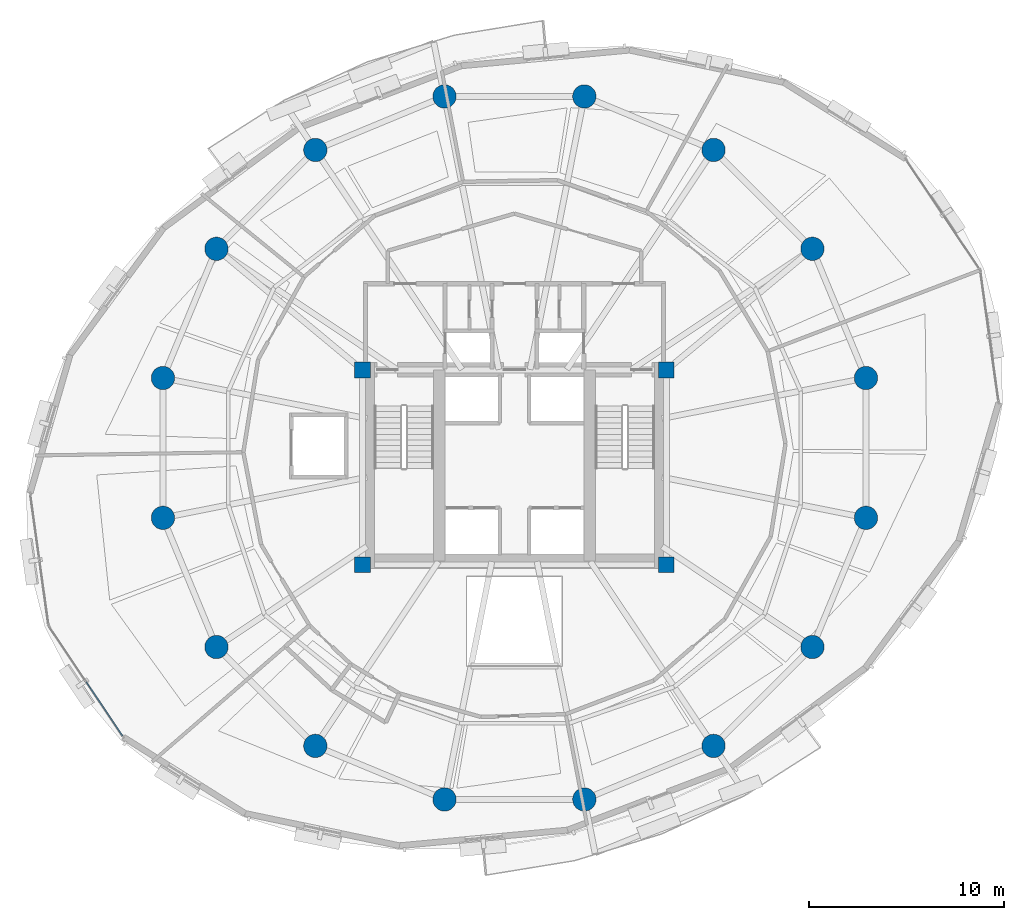
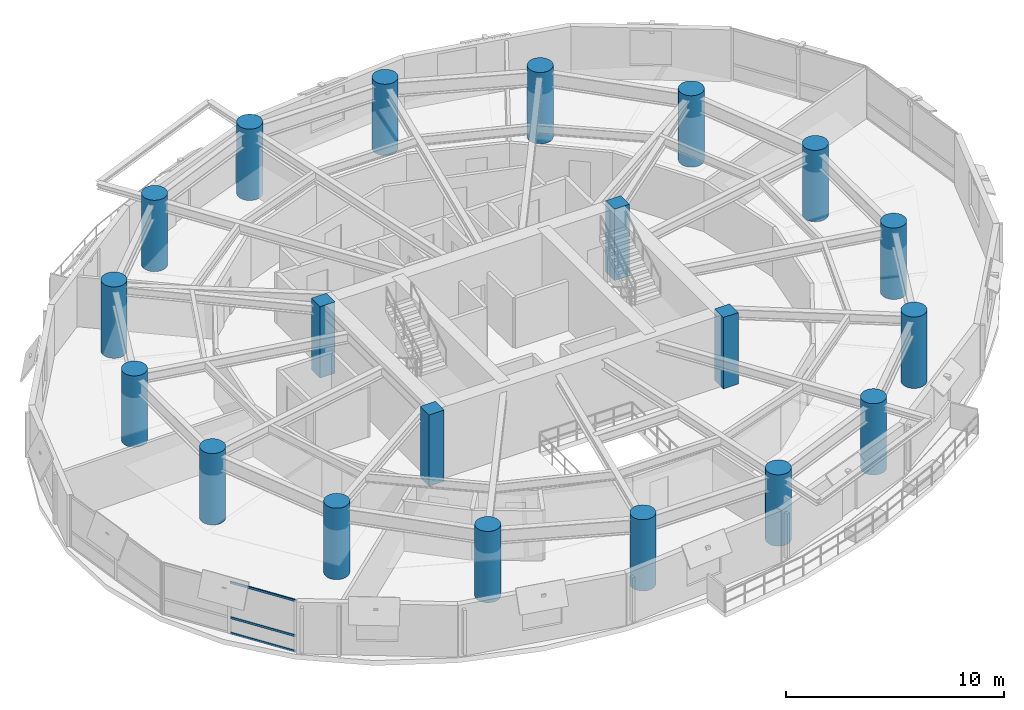
# One storey, part 1 of 15: 20 columns, 3 members, 1 element without a shape of its own.
"""IFC4 building model written with IfcOpenShell, lengths in metres."""

from ifc_helpers import new_model, si_unit, direction, frame, origin, origin_2d, place, context, subcontext, project, spatial, rectangle, hollow_rectangle, circle, extrude, material, layer, layer_set, material_profile, profile_set, type_object, element, aggregate, save


model = new_model("IFC4")

# Units and contexts
model_context = context("Model", 3, precision=1e-05, world=origin(), true_north=direction((0.0, 1.0)))
body_context = subcontext(model_context, "Body", "Model", "MODEL_VIEW")
ifc_project = project(units=[si_unit("LENGTHUNIT", "METRE"), si_unit("AREAUNIT", "SQUARE_METRE"), si_unit("VOLUMEUNIT", "CUBIC_METRE"), si_unit("PLANEANGLEUNIT", "RADIAN"), si_unit("MASSUNIT", "GRAM", prefix="KILO"), si_unit("THERMODYNAMICTEMPERATUREUNIT", "KELVIN"), si_unit("POWERUNIT", "WATT")], contexts=[model_context])

# Site, building, storey
site_placement = place(None, origin())
site = spatial("IfcSite", under=ifc_project, at=site_placement, CompositionType="ELEMENT")
building_placement = place(site_placement, origin())
building = spatial("IfcBuilding", under=site, at=building_placement, Name="Ocrelia Relay Tower", CompositionType="ELEMENT")
storey_placement = place(building_placement, frame((0.0, 0.0, 121.800048828125)))
storey = spatial("IfcBuildingStorey", under=building, at=storey_placement, Name="L28", CompositionType="ELEMENT", Elevation=121.800048828125)

# Columns
ifc_material_1 = material(Name="Concrete C60/75", Category="concrete")
ifc_material_profile_1 = material_profile(ifc_material_1, circle(Radius=0.60009765625, at=origin_2d()), Name="RC-CIR-1200")
ifc_profile_set_1 = profile_set([ifc_material_profile_1], Name="Concrete C60/75")
column_type_1 = type_object("IfcColumnType", Name="COL-CT-1200", PredefinedType="COLUMN", material=ifc_profile_set_1)
for number, where, z_axis, x_axis, name in (
    (1, (52.04638671875, 29.589599609375, 0.0), (0.0, 0.0, 1.0), (1.0, 0.0, 0.0), "L28 Perimeter Ring Column C01"),
    (2, (49.299072265625, 36.222412109375, 0.0), (0.0, 0.0, 1.0), (1.0, 0.0, 0.0), "L28 Perimeter Ring Column C02"),
    (3, (44.222412109375, 41.299072265625, 0.0), (0.0, 0.0, 1.0), (1.0, 0.0, 0.0), "L28 Perimeter Ring Column C03"),
    (4, (37.589599609375, 44.04638671875, 0.0), (0.0, 0.0, 1.0), (1.0, 0.0, 0.0), "L28 Perimeter Ring Column C04"),
    (5, (30.410400390625, 44.04638671875, 0.0), (0.0, 0.0, 1.0), (1.0, 0.0, 0.0), "L28 Perimeter Ring Column C05"),
    (6, (23.777587890625, 41.299072265625, 0.0), (0.0, 0.0, 1.0), (1.0, 0.0, 0.0), "L28 Perimeter Ring Column C06"),
    (7, (18.700927734375, 36.222412109375, 0.0), (0.0, 0.0, 1.0), (1.0, 0.0, 0.0), "L28 Perimeter Ring Column C07"),
    (8, (15.95361328125, 29.589599609375, 0.0), (0.0, 0.0, 1.0), (1.0, 0.0, 0.0), "L28 Perimeter Ring Column C08"),
    (9, (15.95361328125, 22.410400390625, 0.0), (0.0, 0.0, 1.0), (1.0, 0.0, 0.0), "L28 Perimeter Ring Column C09"),
    (10, (18.700927734375, 15.777587890625, 0.0), (0.0, 0.0, 1.0), (1.0, 0.0, 0.0), "L28 Perimeter Ring Column C10"),
    (11, (23.777587890625, 10.700927734375, 0.0), (0.0, 0.0, 1.0), (1.0, 0.0, 0.0), "L28 Perimeter Ring Column C11"),
    (12, (30.410400390625, 7.95361328125, 0.0), (0.0, 0.0, 1.0), (1.0, 0.0, 0.0), "L28 Perimeter Ring Column C12"),
    (13, (37.589599609375, 7.95361328125, 0.0), (0.0, 0.0, 1.0), (1.0, 0.0, 0.0), "L28 Perimeter Ring Column C13"),
    (14, (44.222412109375, 10.700927734375, 0.0), (0.0, 0.0, 1.0), (1.0, 0.0, 0.0), "L28 Perimeter Ring Column C14"),
    (15, (49.299072265625, 15.777587890625, 0.0), (0.0, 0.0, 1.0), (1.0, 0.0, 0.0), "L28 Perimeter Ring Column C15"),
    (16, (52.04638671875, 22.410400390625, 0.0), (0.0, 0.0, 1.0), (1.0, 0.0, 0.0), "L28 Perimeter Ring Column C16"),
):
    element("IfcColumn", number, at=place(storey_placement, frame(where, z_axis=z_axis, x_axis=x_axis)), inside=storey, type_object=column_type_1, Name=name, PredefinedType="COLUMN", context=body_context, shape_type="SweptSolid", body=[
        extrude(circle(Radius=0.60009765625, at=origin_2d()), origin(), (0.0, 0.0, 1.0), 4.0),
    ])
ifc_material_profile_2 = material_profile(ifc_material_1, rectangle(XDim=0.800048828125, YDim=0.800048828125, at=origin_2d()), Name="RC-COL-800x800")
ifc_profile_set_2 = profile_set([ifc_material_profile_2], Name="Concrete C60/75")
column_type_2 = type_object("IfcColumnType", Name="COL-PILASTER-800", PredefinedType="PILASTER", material=ifc_profile_set_2)
for number, where, z_axis, x_axis, name in (
    (17, (26.199951171875, 20.0, 0.0), (0.0, 0.0, 1.0), (1.0, 0.0, 0.0), "L28 Core Corner Pilaster SW"),
    (18, (41.800048828125, 20.0, 0.0), (0.0, 0.0, 1.0), (1.0, 0.0, 0.0), "L28 Core Corner Pilaster SE"),
    (19, (26.199951171875, 30.0, 0.0), (0.0, 0.0, 1.0), (1.0, 0.0, 0.0), "L28 Core Corner Pilaster NW"),
    (20, (41.800048828125, 30.0, 0.0), (0.0, 0.0, 1.0), (1.0, 0.0, 0.0), "L28 Core Corner Pilaster NE"),
):
    element("IfcColumn", number, at=place(storey_placement, frame(where, z_axis=z_axis, x_axis=x_axis)), inside=storey, type_object=column_type_2, Name=name, PredefinedType="PILASTER", context=body_context, shape_type="SweptSolid", body=[
        extrude(rectangle(XDim=0.800048828125, YDim=0.800048828125, at=origin_2d()), origin(), (0.0, 0.0, 1.0), 4.0),
    ])

# Curtain wall, members
ifc_material_2 = material(Name="Aluminium and solar-control low-E glass", Category="aluminium")
ifc_layer = layer(ifc_material_2, 0.179931640625, Name="Aluminium and solar-control low-E glass")
ifc_layer_set = layer_set([ifc_layer], Name="Aluminium and solar-control low-E glass")
curtain_wall_type = type_object("IfcCurtainWallType", Name="CW-SYS-Z2-SWIT", PredefinedType="NOTDEFINED", material=ifc_layer_set)
curtain_wall_placement = place(storey_placement, origin())
curtain_wall = element("IfcCurtainWall", 21, at=curtain_wall_placement, inside=storey, type_object=curtain_wall_type, Name="L28 Elliptical Tower Curtain Wall Bay 10", PredefinedType="NOTDEFINED")
ifc_material_3 = material(Name="Anodised bronze aluminium", Category="aluminium")
ifc_material_profile_3 = material_profile(ifc_material_3, hollow_rectangle(XDim=0.06005859375, YDim=0.1201171875, WallThickness=0.0048828125, at=origin_2d()), Name="CW-TRN-120x60")
ifc_profile_set_3 = profile_set([ifc_material_profile_3], Name="Anodised bronze aluminium")
member_type = type_object("IfcMemberType", Name="CW-SYS-Z2-SWIT-TRN", PredefinedType="USERDEFINED", material=ifc_profile_set_3)
member_1_placement = place(storey_placement, frame((12.020751953125, 13.982421875, 0.030029296875), z_axis=(0.557333250636, -0.830288894142, 0.0), x_axis=(0.830288894142, 0.557333250636, 0.0)))
member_1 = element("IfcMember", 22, at=member_1_placement, type_object=member_type, Name="CW-Z2 transom 2.1", ObjectType="TRANSOM", PredefinedType="USERDEFINED", context=body_context, shape_type="SweptSolid", body=[
    extrude(hollow_rectangle(XDim=0.06005859375, YDim=0.1201171875, WallThickness=0.0048828125, at=origin_2d()), origin(), (0.0, 0.0, 1.0), 3.33447265625),
])
member_2_placement = place(storey_placement, frame((12.020751953125, 13.982421875, 0.89990234375), z_axis=(0.557333250636, -0.830288894142, 0.0), x_axis=(0.830288894142, 0.557333250636, 0.0)))
member_2 = element("IfcMember", 23, at=member_2_placement, type_object=member_type, Name="CW-Z2 transom 2.2", ObjectType="TRANSOM", PredefinedType="USERDEFINED", context=body_context, shape_type="SweptSolid", body=[
    extrude(hollow_rectangle(XDim=0.06005859375, YDim=0.1201171875, WallThickness=0.0048828125, at=origin_2d()), origin(), (0.0, 0.0, 1.0), 3.33447265625),
])
member_3_placement = place(storey_placement, frame((12.020751953125, 13.982421875, 2.869873046875), z_axis=(0.557333250636, -0.830288894142, 0.0), x_axis=(0.830288894142, 0.557333250636, 0.0)))
member_3 = element("IfcMember", 24, at=member_3_placement, type_object=member_type, Name="CW-Z2 transom 2.3", ObjectType="TRANSOM", PredefinedType="USERDEFINED", context=body_context, shape_type="SweptSolid", body=[
    extrude(hollow_rectangle(XDim=0.06005859375, YDim=0.1201171875, WallThickness=0.0048828125, at=origin_2d()), origin(), (0.0, 0.0, 1.0), 3.33447265625),
])
aggregate(curtain_wall, [member_1, member_2, member_3])

save(model, "model.ifc")
